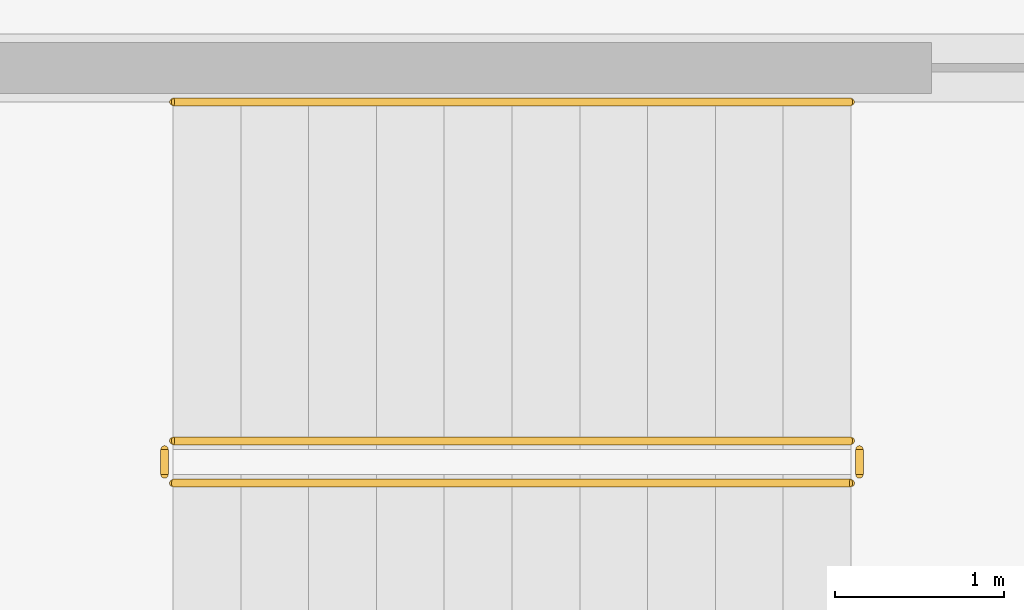
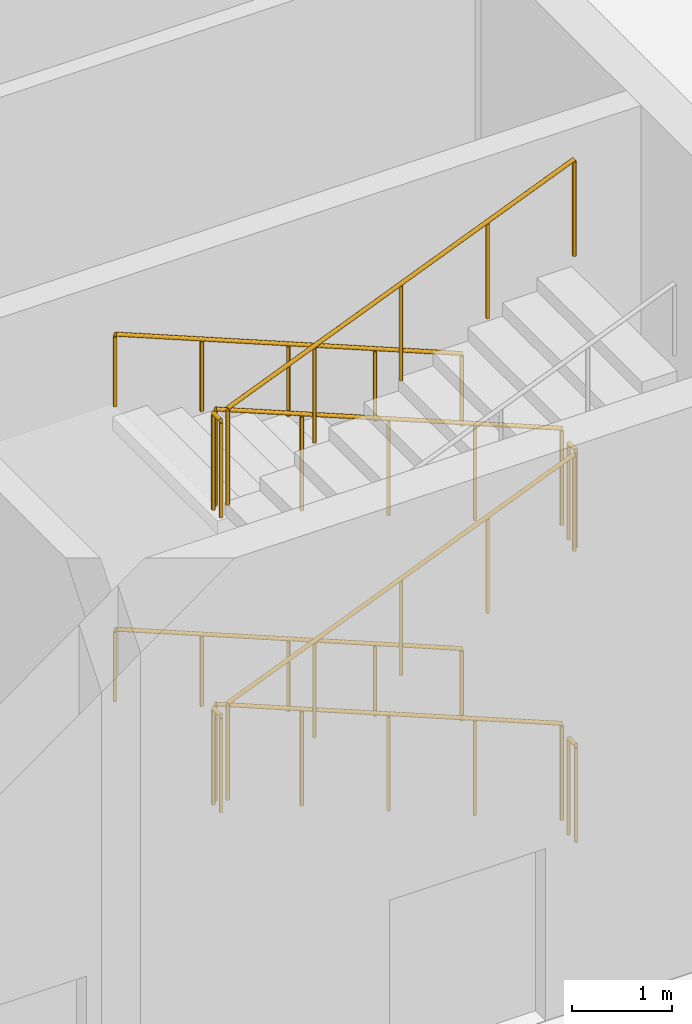
# One storey, part 211 of 239: 10 railings.
"""IFC4 building model written with IfcOpenShell, lengths in metres."""

from ifc_helpers import new_model, si_unit, direction, frame, origin, origin_2d, place, context, subcontext, project, spatial, circle, extrude, material, type_object, element, save


model = new_model("IFC4")

# Units and contexts
model_context = context("Model", 3, precision=1e-05, world=origin(), true_north=direction((0.0, 1.0)))
body_context = subcontext(model_context, "Body", "Model", "MODEL_VIEW")
ifc_project = project(units=[si_unit("LENGTHUNIT", "METRE"), si_unit("AREAUNIT", "SQUARE_METRE"), si_unit("VOLUMEUNIT", "CUBIC_METRE"), si_unit("PLANEANGLEUNIT", "RADIAN"), si_unit("MASSUNIT", "GRAM", prefix="KILO")], contexts=[model_context])

# Site, building, storey
site_placement = place(None, origin())
site = spatial("IfcSite", under=ifc_project, at=site_placement, CompositionType="ELEMENT")
building_placement = place(site_placement, origin())
building = spatial("IfcBuilding", under=site, at=building_placement, Name="Okhra Congress Centre", CompositionType="ELEMENT")
storey_placement = place(building_placement, origin())
storey = spatial("IfcBuildingStorey", under=building, at=storey_placement, Name="L00", CompositionType="ELEMENT", Elevation=0.0)

# Railings
ifc_material_1 = material(Name="Painted steel tube handrail on wall brackets", Category="steel")
railing_type_1 = type_object("IfcRailingType", Name="Steel handrail 900", PredefinedType="HANDRAIL", material=ifc_material_1)
railing_1_placement = place(storey_placement, frame((115.675048828125, 100.52490234375, 0.16357421875)))
element("IfcRailing", 1, at=railing_1_placement, inside=storey, type_object=railing_type_1, Name="L00 C stair handrail 1", PredefinedType="HANDRAIL", context=body_context, shape_type="SweptSolid", body=[
    extrude(circle(Radius=0.02392578125, at=origin_2d()), frame((0.0, 0.0, 0.8759765625), z_axis=(-0.925537957481, 0.0, 0.378654841858), x_axis=(0.0, -1.0, 0.0)), (0.0, 0.0, 1.0), 4.32177734375),
    extrude(circle(Radius=0.02099609375, at=origin_2d()), origin(), (0.0, 0.0, 1.0), 0.851806640625),
    extrude(circle(Radius=0.02099609375, at=origin_2d()), frame((-1.0, 0.0, 0.4091796875)), (0.0, 0.0, 1.0), 0.851806640625),
    extrude(circle(Radius=0.02099609375, at=origin_2d()), frame((-2.0, 0.0, 0.818359375)), (0.0, 0.0, 1.0), 0.851806640625),
    extrude(circle(Radius=0.02099609375, at=origin_2d()), frame((-3.0, 0.0, 1.227294921875)), (0.0, 0.0, 1.0), 0.851806640625),
    extrude(circle(Radius=0.02099609375, at=origin_2d()), frame((-4.0, 0.0, 1.636474609375)), (0.0, 0.0, 1.0), 0.851806640625),
])
railing_2_placement = place(storey_placement, frame((115.675048828125, 100.52490234375, 3.763671875)))
element("IfcRailing", 2, at=railing_2_placement, inside=storey, type_object=railing_type_1, Name="L00 C stair handrail 3", PredefinedType="HANDRAIL", context=body_context, shape_type="SweptSolid", body=[
    extrude(circle(Radius=0.02392578125, at=origin_2d()), frame((0.0, 0.0, 0.8759765625), z_axis=(-0.925557754216, 0.0, 0.378606449509), x_axis=(0.0, -1.0, 0.0)), (0.0, 0.0, 1.0), 4.32177734375),
    extrude(circle(Radius=0.02099609375, at=origin_2d()), origin(), (0.0, 0.0, 1.0), 0.851806640625),
    extrude(circle(Radius=0.02099609375, at=origin_2d()), frame((-1.0, 0.0, 0.4091796875)), (0.0, 0.0, 1.0), 0.851806640625),
    extrude(circle(Radius=0.02099609375, at=origin_2d()), frame((-2.0, 0.0, 0.818115234375)), (0.0, 0.0, 1.0), 0.851806640625),
    extrude(circle(Radius=0.02099609375, at=origin_2d()), frame((-3.0, 0.0, 1.22705078125)), (0.0, 0.0, 1.0), 0.851806640625),
    extrude(circle(Radius=0.02099609375, at=origin_2d()), frame((-4.0, 0.0, 1.63623046875)), (0.0, 0.0, 1.0), 0.851806640625),
])
ifc_material_2 = material(Name="Painted steel tube guard with vertical steel balusters", Category="steel")
railing_type_2 = type_object("IfcRailingType", Name="Steel stair guard 1200", PredefinedType="GUARDRAIL", material=ifc_material_2)
railing_3_placement = place(storey_placement, frame((115.675048828125, 98.52490234375, 0.16357421875)))
element("IfcRailing", 3, at=railing_3_placement, inside=storey, type_object=railing_type_2, Name="L00 C stair guard 1", PredefinedType="GUARDRAIL", context=body_context, shape_type="SweptSolid", body=[
    extrude(circle(Radius=0.02392578125, at=origin_2d()), frame((0.0, 0.0, 1.17578125), z_axis=(-0.925537957481, 0.0, 0.378654841858), x_axis=(0.0, -1.0, 0.0)), (0.0, 0.0, 1.0), 4.32177734375),
    extrude(circle(Radius=0.02099609375, at=origin_2d()), origin(), (0.0, 0.0, 1.0), 1.15185546875),
    extrude(circle(Radius=0.02099609375, at=origin_2d()), frame((-1.0, 0.0, 0.4091796875)), (0.0, 0.0, 1.0), 1.15185546875),
    extrude(circle(Radius=0.02099609375, at=origin_2d()), frame((-2.0, 0.0, 0.818359375)), (0.0, 0.0, 1.0), 1.15185546875),
    extrude(circle(Radius=0.02099609375, at=origin_2d()), frame((-3.0, 0.0, 1.227294921875)), (0.0, 0.0, 1.0), 1.15185546875),
    extrude(circle(Radius=0.02099609375, at=origin_2d()), frame((-4.0, 0.0, 1.636474609375)), (0.0, 0.0, 1.0), 1.15185546875),
])
railing_4_placement = place(storey_placement, frame((111.625, 98.47509765625, 1.800048828125)))
element("IfcRailing", 4, at=railing_4_placement, inside=storey, type_object=railing_type_2, Name="L00 C stair guard 2", PredefinedType="GUARDRAIL", context=body_context, shape_type="SweptSolid", body=[
    extrude(circle(Radius=0.02392578125, at=origin_2d()), frame((0.0, 0.0, 1.17578125), z_axis=(0.0, -1.0, 0.0), x_axis=(1.0, 0.0, 0.0)), (0.0, 0.0, 1.0), 0.150146484375),
    extrude(circle(Radius=0.02099609375, at=origin_2d()), origin(), (0.0, 0.0, 1.0), 1.15185546875),
    extrude(circle(Radius=0.02099609375, at=origin_2d()), frame((0.0, -0.150146484375, 0.0)), (0.0, 0.0, 1.0), 1.15185546875),
])
railing_5_placement = place(storey_placement, frame((111.675048828125, 98.27490234375, 1.963623046875)))
element("IfcRailing", 5, at=railing_5_placement, inside=storey, type_object=railing_type_2, Name="L00 C stair guard 3", PredefinedType="GUARDRAIL", context=body_context, shape_type="SweptSolid", body=[
    extrude(circle(Radius=0.02392578125, at=origin_2d()), frame((0.0, 0.0, 1.17578125), z_axis=(0.925537957481, 0.0, 0.378654841858), x_axis=(0.0, 1.0, 0.0)), (0.0, 0.0, 1.0), 4.32177734375),
    extrude(circle(Radius=0.02099609375, at=origin_2d()), origin(), (0.0, 0.0, 1.0), 1.15185546875),
    extrude(circle(Radius=0.02099609375, at=origin_2d()), frame((1.0, 0.0, 0.4091796875)), (0.0, 0.0, 1.0), 1.15185546875),
    extrude(circle(Radius=0.02099609375, at=origin_2d()), frame((2.0, 0.0, 0.818359375)), (0.0, 0.0, 1.0), 1.15185546875),
    extrude(circle(Radius=0.02099609375, at=origin_2d()), frame((3.0, 0.0, 1.227294921875)), (0.0, 0.0, 1.0), 1.15185546875),
    extrude(circle(Radius=0.02099609375, at=origin_2d()), frame((4.0, 0.0, 1.636474609375)), (0.0, 0.0, 1.0), 1.15185546875),
])
railing_6_placement = place(storey_placement, frame((115.72509765625, 98.47509765625, 3.60009765625)))
element("IfcRailing", 6, at=railing_6_placement, inside=storey, type_object=railing_type_2, Name="L00 C stair guard 4", PredefinedType="GUARDRAIL", context=body_context, shape_type="SweptSolid", body=[
    extrude(circle(Radius=0.02392578125, at=origin_2d()), frame((0.0, 0.0, 1.17578125), z_axis=(0.0, -1.0, 0.0), x_axis=(1.0, 0.0, 0.0)), (0.0, 0.0, 1.0), 0.150146484375),
    extrude(circle(Radius=0.02099609375, at=origin_2d()), origin(), (0.0, 0.0, 1.0), 1.15185546875),
    extrude(circle(Radius=0.02099609375, at=origin_2d()), frame((0.0, -0.150146484375, 0.0)), (0.0, 0.0, 1.0), 1.15185546875),
])
railing_7_placement = place(storey_placement, frame((115.675048828125, 98.52490234375, 3.763671875)))
element("IfcRailing", 7, at=railing_7_placement, inside=storey, type_object=railing_type_2, Name="L00 C stair guard 5", PredefinedType="GUARDRAIL", context=body_context, shape_type="SweptSolid", body=[
    extrude(circle(Radius=0.02392578125, at=origin_2d()), frame((0.0, 0.0, 1.17578125), z_axis=(-0.925557754216, 0.0, 0.378606449509), x_axis=(0.0, -1.0, 0.0)), (0.0, 0.0, 1.0), 4.32177734375),
    extrude(circle(Radius=0.02099609375, at=origin_2d()), origin(), (0.0, 0.0, 1.0), 1.15185546875),
    extrude(circle(Radius=0.02099609375, at=origin_2d()), frame((-1.0, 0.0, 0.4091796875)), (0.0, 0.0, 1.0), 1.15185546875),
    extrude(circle(Radius=0.02099609375, at=origin_2d()), frame((-2.0, 0.0, 0.818115234375)), (0.0, 0.0, 1.0), 1.15185546875),
    extrude(circle(Radius=0.02099609375, at=origin_2d()), frame((-3.0, 0.0, 1.22705078125)), (0.0, 0.0, 1.0), 1.15185546875),
    extrude(circle(Radius=0.02099609375, at=origin_2d()), frame((-4.0, 0.0, 1.63623046875)), (0.0, 0.0, 1.0), 1.15185546875),
])
railing_8_placement = place(storey_placement, frame((111.625, 98.47509765625, 5.39990234375)))
element("IfcRailing", 8, at=railing_8_placement, inside=storey, type_object=railing_type_2, Name="L00 C stair guard 6", PredefinedType="GUARDRAIL", context=body_context, shape_type="SweptSolid", body=[
    extrude(circle(Radius=0.02392578125, at=origin_2d()), frame((0.0, 0.0, 1.17578125), z_axis=(0.0, -1.0, 0.0), x_axis=(1.0, 0.0, 0.0)), (0.0, 0.0, 1.0), 0.150146484375),
    extrude(circle(Radius=0.02099609375, at=origin_2d()), origin(), (0.0, 0.0, 1.0), 1.15185546875),
    extrude(circle(Radius=0.02099609375, at=origin_2d()), frame((0.0, -0.150146484375, 0.0)), (0.0, 0.0, 1.0), 1.15185546875),
])
railing_9_placement = place(storey_placement, frame((111.675048828125, 98.27490234375, 5.563720703125)))
element("IfcRailing", 9, at=railing_9_placement, inside=storey, type_object=railing_type_2, Name="L00 C stair guard 7", PredefinedType="GUARDRAIL", context=body_context, shape_type="SweptSolid", body=[
    extrude(circle(Radius=0.02392578125, at=origin_2d()), frame((0.0, 0.0, 1.17578125), z_axis=(0.925557754216, 0.0, 0.378606449509), x_axis=(0.0, 1.0, 0.0)), (0.0, 0.0, 1.0), 4.32177734375),
    extrude(circle(Radius=0.02099609375, at=origin_2d()), origin(), (0.0, 0.0, 1.0), 1.15185546875),
    extrude(circle(Radius=0.02099609375, at=origin_2d()), frame((1.0, 0.0, 0.4091796875)), (0.0, 0.0, 1.0), 1.15185546875),
    extrude(circle(Radius=0.02099609375, at=origin_2d()), frame((2.0, 0.0, 0.818115234375)), (0.0, 0.0, 1.0), 1.15185546875),
    extrude(circle(Radius=0.02099609375, at=origin_2d()), frame((3.0, 0.0, 1.22705078125)), (0.0, 0.0, 1.0), 1.15185546875),
    extrude(circle(Radius=0.02099609375, at=origin_2d()), frame((4.0, 0.0, 1.63623046875)), (0.0, 0.0, 1.0), 1.15185546875),
])
railing_10_placement = place(storey_placement, frame((115.72509765625, 98.47509765625, 0.0)))
element("IfcRailing", 10, at=railing_10_placement, inside=storey, type_object=railing_type_2, Name="L00 C stair guard 8", PredefinedType="GUARDRAIL", context=body_context, shape_type="SweptSolid", body=[
    extrude(circle(Radius=0.02392578125, at=origin_2d()), frame((0.0, 0.0, 1.17578125), z_axis=(0.0, -1.0, 0.0), x_axis=(1.0, 0.0, 0.0)), (0.0, 0.0, 1.0), 0.150146484375),
    extrude(circle(Radius=0.02099609375, at=origin_2d()), origin(), (0.0, 0.0, 1.0), 1.15185546875),
    extrude(circle(Radius=0.02099609375, at=origin_2d()), frame((0.0, -0.150146484375, 0.0)), (0.0, 0.0, 1.0), 1.15185546875),
])

save(model, "model.ifc")
